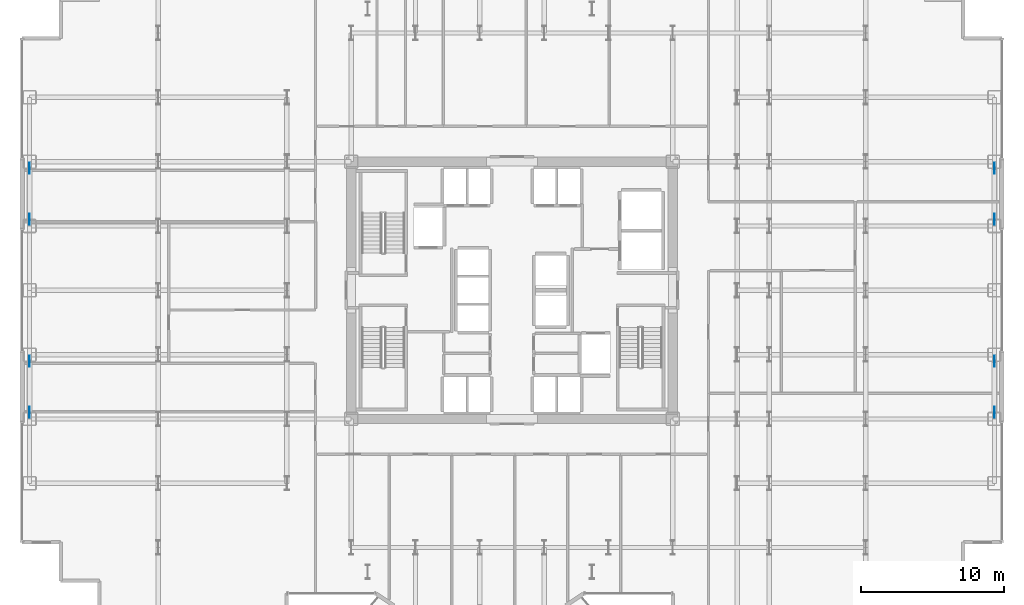
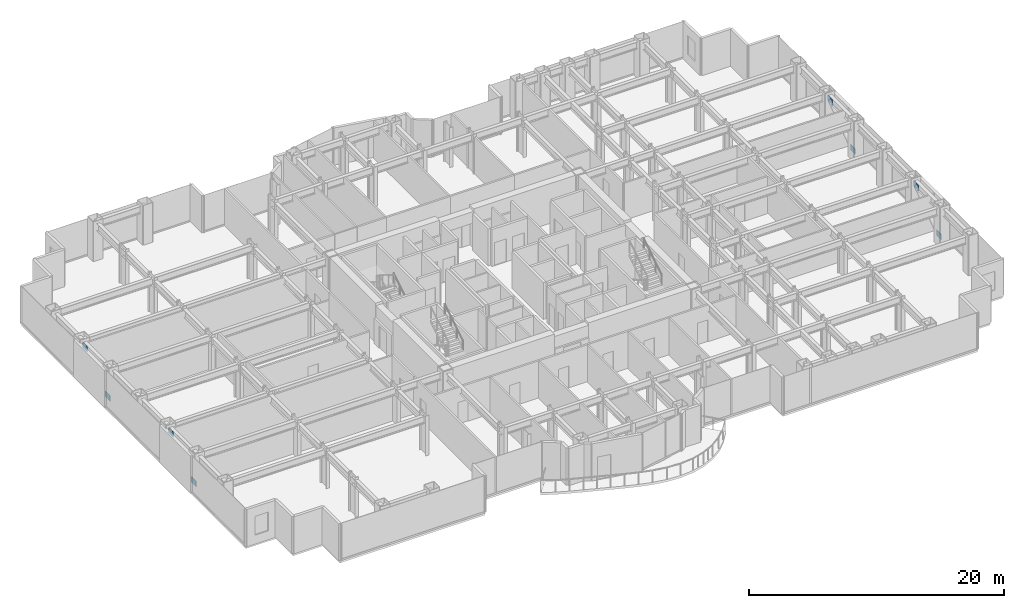
# One storey, part 21 of 29: 8 plates.
"""IFC4 building model written with IfcOpenShell, lengths in metres."""

from ifc_helpers import new_model, si_unit, direction, frame, origin, origin_2d, place, context, subcontext, project, spatial, rectangle, extrude, source, transform, mapped, material, layer, layer_set, type_object, element, save


model = new_model("IFC4")

# Units and contexts
model_context = context("Model", 3, precision=1e-05, world=origin(), true_north=direction((0.0, 1.0)))
body_context = subcontext(model_context, "Body", "Model", "MODEL_VIEW")
ifc_project = project(units=[si_unit("LENGTHUNIT", "METRE"), si_unit("AREAUNIT", "SQUARE_METRE"), si_unit("VOLUMEUNIT", "CUBIC_METRE"), si_unit("PLANEANGLEUNIT", "RADIAN"), si_unit("MASSUNIT", "GRAM", prefix="KILO")], contexts=[model_context])

# Site, building, storey
site_placement = place(None, origin())
site = spatial("IfcSite", under=ifc_project, at=site_placement, CompositionType="ELEMENT")
building_placement = place(site_placement, origin())
building = spatial("IfcBuilding", under=site, at=building_placement, Name="Nefas-Gora Pilgrimage Tower", CompositionType="ELEMENT")
storey_placement = place(building_placement, frame((0.0, 0.0, 44.39990234375)))
storey = spatial("IfcBuildingStorey", under=building, at=storey_placement, Name="L09", CompositionType="ELEMENT", Elevation=44.39990234375)

# Plates
ifc_material = material(Name="Steel S460", Category="steel")
ifc_layer = layer(ifc_material, 0.048095703125)
ifc_layer_set = layer_set([ifc_layer], Name="Steel S460")
plate_type = type_object("IfcPlateType", Name="PLT-NODE-N07", PredefinedType="USERDEFINED", material=ifc_layer_set)
shared_shape = source(origin(), body_context, "Body", "SweptSolid", [
    extrude(rectangle(XDim=0.780029296875, YDim=0.0380859375, at=origin_2d()), origin(), (0.0, 0.0, 1.0), 0.5400390625),
])
for number, where, z_axis, x_axis, name in (
    (1, (-33.75, -8.537109375, 0.21142578125), (0.0, 0.0, 1.0), (0.0, 1.0, 0.0), "Structural Node Gusset Plate N07 (L09)"),
    (2, (-33.75, -4.962890625, 2.768798828125), (0.0, 0.0, 1.0), (0.0, 1.0, 0.0), "Structural Node Gusset Plate N07 (L09)"),
    (3, (-33.75, 4.962890625, 0.21142578125), (0.0, 0.0, 1.0), (0.0, 1.0, 0.0), "Structural Node Gusset Plate N07 (L09)"),
    (4, (-33.75, 8.537109375, 2.768798828125), (0.0, 0.0, 1.0), (0.0, 1.0, 0.0), "Structural Node Gusset Plate N07 (L09)"),
    (5, (33.75, -8.537109375, 0.21142578125), (0.0, 0.0, 1.0), (0.0, 1.0, 0.0), "Structural Node Gusset Plate N07 (L09)"),
    (6, (33.75, -4.962890625, 2.768798828125), (0.0, 0.0, 1.0), (0.0, 1.0, 0.0), "Structural Node Gusset Plate N07 (L09)"),
    (7, (33.75, 4.962890625, 0.21142578125), (0.0, 0.0, 1.0), (0.0, 1.0, 0.0), "Structural Node Gusset Plate N07 (L09)"),
    (8, (33.75, 8.537109375, 2.768798828125), (0.0, 0.0, 1.0), (0.0, 1.0, 0.0), "Structural Node Gusset Plate N07 (L09)"),
):
    element("IfcPlate", number, at=place(storey_placement, frame(where, z_axis=z_axis, x_axis=x_axis)), inside=storey, type_object=plate_type, Name=name, ObjectType="GUSSET_PLATE", PredefinedType="USERDEFINED", context=body_context, shape_type="MappedRepresentation", body=[
        mapped(shared_shape, transform((0.0, 0.0, 0.0), x_axis=(1.0, 0.0, 0.0), y_axis=(0.0, 1.0, 0.0), z_axis=(0.0, 0.0, 1.0), scale=1.0)),
    ])

save(model, "model.ifc")
